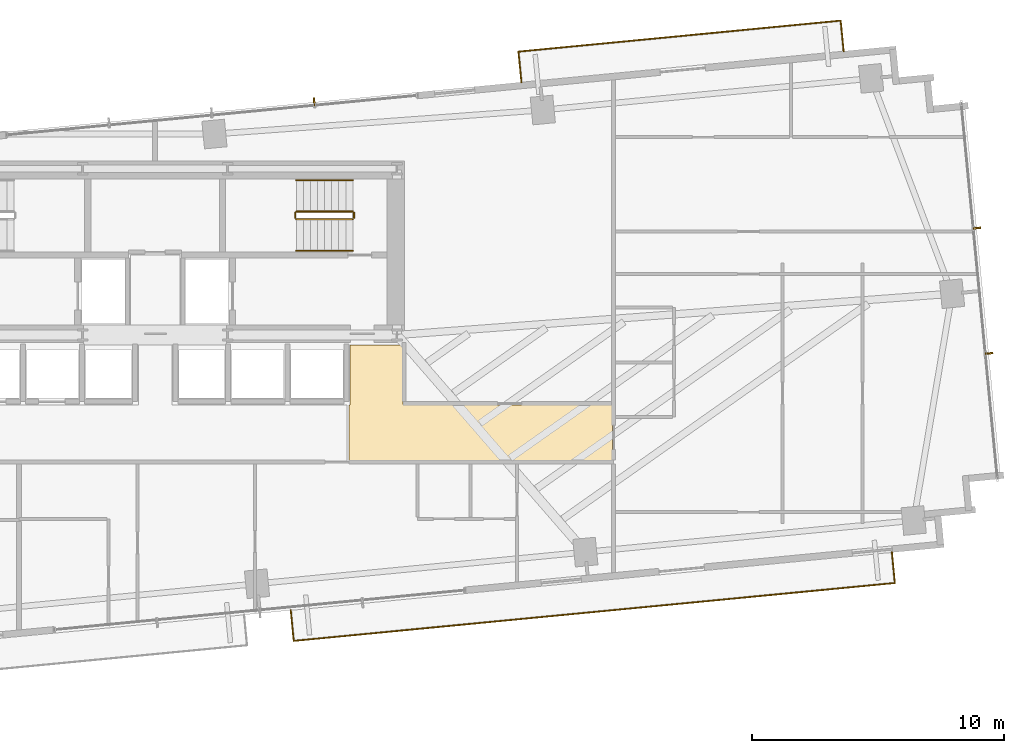
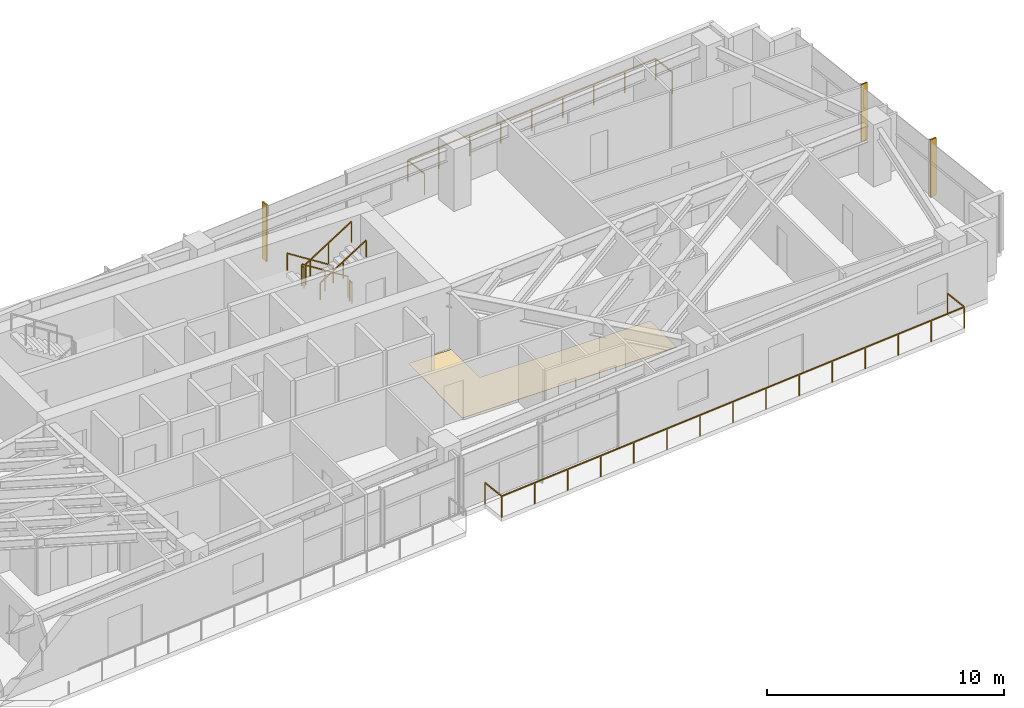
# One storey, part 25 of 25: 8 railings, 3 shading devices, 1 covering.
"""IFC4 building model written with IfcOpenShell, lengths in metres."""

from ifc_helpers import new_model, si_unit, direction, frame, origin, origin_2d, place, context, subcontext, project, spatial, polyline, rectangle, outline, extrude, source, transform, mapped, material, layer, layer_set, type_object, type_shapes, element, save


model = new_model("IFC4")

# Units and contexts
model_context = context("Model", 3, precision=1e-05, world=origin(), true_north=direction((0.0, 1.0)))
body_context = subcontext(model_context, "Body", "Model", "MODEL_VIEW")
ifc_project = project(units=[si_unit("LENGTHUNIT", "METRE"), si_unit("AREAUNIT", "SQUARE_METRE"), si_unit("VOLUMEUNIT", "CUBIC_METRE"), si_unit("PLANEANGLEUNIT", "RADIAN"), si_unit("MASSUNIT", "GRAM", prefix="KILO")], contexts=[model_context])

# Site, building, storey
site_placement = place(None, origin())
site = spatial("IfcSite", under=ifc_project, at=site_placement, CompositionType="ELEMENT")
building_placement = place(site_placement, origin())
building = spatial("IfcBuilding", under=site, at=building_placement, Name="Astriad Promenade Condominiums", CompositionType="ELEMENT")
storey_placement = place(building_placement, frame((0.0, 0.0, 81.0)))
storey = spatial("IfcBuildingStorey", under=building, at=storey_placement, Name="L22", CompositionType="ELEMENT", Elevation=81.0)

# Covering
ifc_material_1 = material(Name="Polished Lakefront Terrazzo Flooring")
ifc_layer = layer(ifc_material_1, 0.02001953125)
ifc_layer_set = layer_set([ifc_layer], Name="Polished Lakefront Terrazzo Flooring")
covering_type = type_object("IfcCoveringType", Name="COV-FLOR-TERRAZZO-20", PredefinedType="FLOORING", material=ifc_layer_set)
covering_placement = place(storey_placement, origin())
element("IfcCovering", 1, at=covering_placement, inside=storey, type_object=covering_type, Name="FLR-L22-COR-1", PredefinedType="FLOORING", context=body_context, shape_type="SweptSolid", body=[
    extrude(outline(polyline([(43.699951171875, 12.389892578125), (43.699951171875, 14.610107421875), (43.703857421875, 14.610107421875), (43.707763671875, 14.61083984375), (43.711669921875, 14.61181640625), (43.71533203125, 14.613037109375), (43.718994140625, 14.61474609375), (43.72216796875, 14.61669921875), (43.725341796875, 14.619140625), (43.728271484375, 14.62158203125), (43.73095703125, 14.62451171875), (43.7333984375, 14.627685546875), (43.7353515625, 14.631103515625), (43.737060546875, 14.634765625), (43.73828125, 14.638427734375), (43.7392578125, 14.64208984375), (43.73974609375, 14.64599609375), (43.739990234375, 14.64990234375), (43.739990234375, 17.010009765625), (45.840087890625, 17.010009765625), (45.840087890625, 14.659912109375), (45.840087890625, 14.656005859375), (45.8408203125, 14.652099609375), (45.841796875, 14.6484375), (45.843017578125, 14.644775390625), (45.8447265625, 14.64111328125), (45.8466796875, 14.6376953125), (45.84912109375, 14.634521484375), (45.851806640625, 14.631591796875), (45.8544921875, 14.629150390625), (45.85791015625, 14.626708984375), (45.861083984375, 14.624755859375), (45.86474609375, 14.623046875), (45.868408203125, 14.62158203125), (45.872314453125, 14.620849609375), (45.876220703125, 14.6201171875), (45.8798828125, 14.6201171875), (54.159912109375, 14.6201171875), (54.159912109375, 12.389892578125), (43.699951171875, 12.389892578125)])), origin(), (0.0, 0.0, 1.0), 0.02001953125),
])

# Shading devices
ifc_material_2 = material(Name="Anodised aluminium 6063-T6 Black Fin", Category="aluminium")
shading_device_type = type_object("IfcShadingDeviceType", Name="FIN-BLACK-320", PredefinedType="USERDEFINED", material=ifc_material_2)
shared_shape_1 = source(origin(), body_context, "Body", "SweptSolid", [
    extrude(rectangle(XDim=0.06494140625, YDim=0.320068359375, at=origin_2d()), origin(), (0.0, 0.0, 1.0), 2.93994140625),
])
type_shapes(shading_device_type, [shared_shape_1])
for number, where, z_axis, x_axis, name in (
    (2, (42.31689453125, 26.656494140625, 0.0), (0.0, 0.0, 1.0), (0.995396198367, 0.09584575252, 0.0), "CW-L22-N-FIN-03"),
    (3, (68.63330078125, 21.6455078125, 0.0), (0.0, 0.0, 1.0), (0.09584575252, -0.995396198367, 0.0), "CW-L22-E-FIN-01"),
    (4, (69.1123046875, 16.668701171875, 0.0), (0.0, 0.0, 1.0), (0.09584575252, -0.995396198367, 0.0), "CW-L22-E-FIN-02"),
):
    element("IfcShadingDevice", number, at=place(storey_placement, frame(where, z_axis=z_axis, x_axis=x_axis)), inside=storey, type_object=shading_device_type, Name=name, ObjectType="FIN", PredefinedType="USERDEFINED", context=body_context, shape_type="MappedRepresentation", body=[
        mapped(shared_shape_1, transform((0.0, 0.0, 0.0), scale=1.0)),
    ])

# Railings
ifc_material_3 = material(Name="Laminated Glass and Stainless Steel Balustrade", Category="steel")
railing_type_1 = type_object("IfcRailingType", Name="GRD-BALC-1120", PredefinedType="BALUSTRADE", material=ifc_material_3)
shared_shape_2 = source(origin(), body_context, "Body", "SweptSolid", [
    extrude(rectangle(XDim=0.048095703125, YDim=0.048095703125, at=origin_2d()), frame((0.0, 0.0, 1.09619140625), z_axis=(0.095857307208, -0.99539508571, 0.0), x_axis=(0.99539508571, 0.095857307208, 0.0)), (0.0, 0.0, 1.0), 1.219970703125),
    extrude(rectangle(XDim=0.048095703125, YDim=0.048095703125, at=origin_2d()), frame((0.116943359375, -1.21435546875, 1.09619140625), z_axis=(0.995396301327, 0.095844683232, 0.0), x_axis=(-0.095844683232, 0.995396301327, 0.0)), (0.0, 0.0, 1.0), 23.98486328125),
    extrude(rectangle(XDim=0.048095703125, YDim=0.048095703125, at=origin_2d()), frame((23.991455078125, 1.08447265625, 1.09619140625), z_axis=(-0.095659020692, 0.99541416092, 0.0), x_axis=(-0.99541416092, -0.095659020692, 0.0)), (0.0, 0.0, 1.0), 1.219970703125),
    extrude(rectangle(XDim=0.0419921875, YDim=0.0419921875, at=origin_2d()), origin(), (0.0, 0.0, 1.0), 1.072021484375),
    extrude(rectangle(XDim=0.0419921875, YDim=0.0419921875, at=origin_2d()), frame((0.116943359375, -1.21435546875, 0.0)), (0.0, 0.0, 1.0), 1.072021484375),
    extrude(rectangle(XDim=0.0419921875, YDim=0.0419921875, at=origin_2d()), frame((1.822265625, -1.050048828125, 0.0)), (0.0, 0.0, 1.0), 1.072021484375),
    extrude(rectangle(XDim=0.0419921875, YDim=0.0419921875, at=origin_2d()), frame((3.527587890625, -0.885986328125, 0.0)), (0.0, 0.0, 1.0), 1.072021484375),
    extrude(rectangle(XDim=0.0419921875, YDim=0.0419921875, at=origin_2d()), frame((5.23291015625, -0.7216796875, 0.0)), (0.0, 0.0, 1.0), 1.072021484375),
    extrude(rectangle(XDim=0.0419921875, YDim=0.0419921875, at=origin_2d()), frame((6.938232421875, -0.5576171875, 0.0)), (0.0, 0.0, 1.0), 1.072021484375),
    extrude(rectangle(XDim=0.0419921875, YDim=0.0419921875, at=origin_2d()), frame((8.6435546875, -0.393310546875, 0.0)), (0.0, 0.0, 1.0), 1.072021484375),
    extrude(rectangle(XDim=0.0419921875, YDim=0.0419921875, at=origin_2d()), frame((10.348876953125, -0.229248046875, 0.0)), (0.0, 0.0, 1.0), 1.072021484375),
    extrude(rectangle(XDim=0.0419921875, YDim=0.0419921875, at=origin_2d()), frame((12.05419921875, -0.06494140625, 0.0)), (0.0, 0.0, 1.0), 1.072021484375),
    extrude(rectangle(XDim=0.0419921875, YDim=0.0419921875, at=origin_2d()), frame((13.759521484375, 0.099365234375, 0.0)), (0.0, 0.0, 1.0), 1.072021484375),
    extrude(rectangle(XDim=0.0419921875, YDim=0.0419921875, at=origin_2d()), frame((15.46484375, 0.263427734375, 0.0)), (0.0, 0.0, 1.0), 1.072021484375),
    extrude(rectangle(XDim=0.0419921875, YDim=0.0419921875, at=origin_2d()), frame((17.170166015625, 0.427734375, 0.0)), (0.0, 0.0, 1.0), 1.072021484375),
    extrude(rectangle(XDim=0.0419921875, YDim=0.0419921875, at=origin_2d()), frame((18.87548828125, 0.591796875, 0.0)), (0.0, 0.0, 1.0), 1.072021484375),
    extrude(rectangle(XDim=0.0419921875, YDim=0.0419921875, at=origin_2d()), frame((20.580810546875, 0.756103515625, 0.0)), (0.0, 0.0, 1.0), 1.072021484375),
    extrude(rectangle(XDim=0.0419921875, YDim=0.0419921875, at=origin_2d()), frame((22.2861328125, 0.920166015625, 0.0)), (0.0, 0.0, 1.0), 1.072021484375),
    extrude(rectangle(XDim=0.0419921875, YDim=0.0419921875, at=origin_2d()), frame((23.991455078125, 1.08447265625, 0.0)), (0.0, 0.0, 1.0), 1.072021484375),
    extrude(rectangle(XDim=0.0419921875, YDim=0.0419921875, at=origin_2d()), frame((23.874755859375, 2.298828125, 0.0)), (0.0, 0.0, 1.0), 1.072021484375),
])
railing_1_placement = place(storey_placement, frame((41.384765625, 6.464111328125, 0.0)))
element("IfcRailing", 5, at=railing_1_placement, inside=storey, type_object=railing_type_1, Name="GRD-BALC-L22-SE", PredefinedType="BALUSTRADE", context=body_context, shape_type="MappedRepresentation", body=[
    mapped(shared_shape_2, transform((0.0, 0.0, 0.0), scale=1.0)),
])
shared_shape_3 = source(origin(), body_context, "Body", "SweptSolid", [
    extrude(rectangle(XDim=0.048095703125, YDim=0.048095703125, at=origin_2d()), frame((0.0, 0.0, 1.09619140625), z_axis=(-0.095659020692, 0.99541416092, 0.0), x_axis=(-0.99541416092, -0.095659020692, 0.0)), (0.0, 0.0, 1.0), 1.219970703125),
    extrude(rectangle(XDim=0.048095703125, YDim=0.048095703125, at=origin_2d()), frame((-0.11669921875, 1.21435546875, 1.09619140625), z_axis=(-0.995397053245, -0.09583687386, 0.0), x_axis=(0.09583687386, -0.995397053245, 0.0)), (0.0, 0.0, 1.0), 12.85693359375),
    extrude(rectangle(XDim=0.048095703125, YDim=0.048095703125, at=origin_2d()), frame((-12.91455078125, -0.017822265625, 1.09619140625), z_axis=(0.095857307208, -0.99539508571, 0.0), x_axis=(0.99539508571, 0.095857307208, 0.0)), (0.0, 0.0, 1.0), 1.219970703125),
    extrude(rectangle(XDim=0.0419921875, YDim=0.0419921875, at=origin_2d()), origin(), (0.0, 0.0, 1.0), 1.072021484375),
    extrude(rectangle(XDim=0.0419921875, YDim=0.0419921875, at=origin_2d()), frame((-0.11669921875, 1.21435546875, 0.0)), (0.0, 0.0, 1.0), 1.072021484375),
    extrude(rectangle(XDim=0.0419921875, YDim=0.0419921875, at=origin_2d()), frame((-1.71630859375, 1.060302734375, 0.0)), (0.0, 0.0, 1.0), 1.072021484375),
    extrude(rectangle(XDim=0.0419921875, YDim=0.0419921875, at=origin_2d()), frame((-3.316162109375, 0.90625, 0.0)), (0.0, 0.0, 1.0), 1.072021484375),
    extrude(rectangle(XDim=0.0419921875, YDim=0.0419921875, at=origin_2d()), frame((-4.916015625, 0.752197265625, 0.0)), (0.0, 0.0, 1.0), 1.072021484375),
    extrude(rectangle(XDim=0.0419921875, YDim=0.0419921875, at=origin_2d()), frame((-6.515625, 0.59814453125, 0.0)), (0.0, 0.0, 1.0), 1.072021484375),
    extrude(rectangle(XDim=0.0419921875, YDim=0.0419921875, at=origin_2d()), frame((-8.115234375, 0.4443359375, 0.0)), (0.0, 0.0, 1.0), 1.072021484375),
    extrude(rectangle(XDim=0.0419921875, YDim=0.0419921875, at=origin_2d()), frame((-9.715087890625, 0.290283203125, 0.0)), (0.0, 0.0, 1.0), 1.072021484375),
    extrude(rectangle(XDim=0.0419921875, YDim=0.0419921875, at=origin_2d()), frame((-11.31494140625, 0.13623046875, 0.0)), (0.0, 0.0, 1.0), 1.072021484375),
    extrude(rectangle(XDim=0.0419921875, YDim=0.0419921875, at=origin_2d()), frame((-12.91455078125, -0.017822265625, 0.0)), (0.0, 0.0, 1.0), 1.072021484375),
    extrude(rectangle(XDim=0.0419921875, YDim=0.0419921875, at=origin_2d()), frame((-12.797607421875, -1.232177734375, 0.0)), (0.0, 0.0, 1.0), 1.072021484375),
])
type_shapes(railing_type_1, [shared_shape_2, shared_shape_3])
railing_2_placement = place(storey_placement, frame((63.34228515625, 28.6708984375, 0.0)))
element("IfcRailing", 6, at=railing_2_placement, inside=storey, type_object=railing_type_1, Name="GRD-BALC-L22-NE", PredefinedType="BALUSTRADE", context=body_context, shape_type="MappedRepresentation", body=[
    mapped(shared_shape_3, transform((0.0, 0.0, 0.0), scale=1.0)),
])
ifc_material_4 = material(Name="Painted Galvanised Steel Guardrail", Category="steel")
railing_type_2 = type_object("IfcRailingType", Name="GRD-STAIR-1100", PredefinedType="GUARDRAIL", material=ifc_material_4)
shared_shape_4 = source(origin(), body_context, "Body", "SweptSolid", [
    extrude(rectangle(XDim=0.048095703125, YDim=0.048095703125, at=origin_2d()), frame((0.0, 0.0, 1.076171875), z_axis=(0.8442293374, 0.0, 0.53598211339), x_axis=(0.0, 1.0, 0.0)), (0.0, 0.0, 1.0), 2.6533203125),
    extrude(rectangle(XDim=0.0419921875, YDim=0.0419921875, at=origin_2d()), origin(), (0.0, 0.0, 1.0), 1.052001953125),
    extrude(rectangle(XDim=0.0419921875, YDim=0.0419921875, at=origin_2d()), frame((1.1201171875, 0.0, 0.7109375)), (0.0, 0.0, 1.0), 1.052001953125),
    extrude(rectangle(XDim=0.0419921875, YDim=0.0419921875, at=origin_2d()), frame((2.239990234375, 0.0, 1.422119140625)), (0.0, 0.0, 1.0), 1.052001953125),
])
railing_3_placement = place(storey_placement, frame((41.610107421875, 22.0, 1.77783203125)))
element("IfcRailing", 7, at=railing_3_placement, inside=storey, type_object=railing_type_2, Name="L22 ST-2 stair guard 3", PredefinedType="GUARDRAIL", context=body_context, shape_type="MappedRepresentation", body=[
    mapped(shared_shape_4, transform((0.0, 0.0, 0.0), scale=1.0)),
])
shared_shape_5 = source(origin(), body_context, "Body", "SweptSolid", [
    extrude(rectangle(XDim=0.048095703125, YDim=0.048095703125, at=origin_2d()), frame((0.0, 0.0, 1.076171875), z_axis=(-0.84418770128, 0.0, 0.536047689118), x_axis=(0.0, -1.0, 0.0)), (0.0, 0.0, 1.0), 2.6533203125),
    extrude(rectangle(XDim=0.0419921875, YDim=0.0419921875, at=origin_2d()), origin(), (0.0, 0.0, 1.0), 1.052001953125),
    extrude(rectangle(XDim=0.0419921875, YDim=0.0419921875, at=origin_2d()), frame((-1.1201171875, 0.0, 0.711181640625)), (0.0, 0.0, 1.0), 1.052001953125),
    extrude(rectangle(XDim=0.0419921875, YDim=0.0419921875, at=origin_2d()), frame((-2.239990234375, 0.0, 1.42236328125)), (0.0, 0.0, 1.0), 1.052001953125),
])
railing_4_placement = place(storey_placement, frame((43.85009765625, 22.300048828125, 0.177734375)))
element("IfcRailing", 8, at=railing_4_placement, inside=storey, type_object=railing_type_2, Name="L22 ST-2 stair guard 1", PredefinedType="GUARDRAIL", context=body_context, shape_type="MappedRepresentation", body=[
    mapped(shared_shape_5, transform((0.0, 0.0, 0.0), scale=1.0)),
])
ifc_material_5 = material(Name="Brushed Stainless Steel Handrail", Category="steel")
railing_type_3 = type_object("IfcRailingType", Name="HRL-STAIR-920", PredefinedType="HANDRAIL", material=ifc_material_5)
shared_shape_6 = source(origin(), body_context, "Body", "SweptSolid", [
    extrude(rectangle(XDim=0.048095703125, YDim=0.048095703125, at=origin_2d()), frame((0.0, 0.0, 0.8759765625), z_axis=(0.8442293374, 0.0, 0.53598211339), x_axis=(0.0, 1.0, 0.0)), (0.0, 0.0, 1.0), 2.6533203125),
    extrude(rectangle(XDim=0.0419921875, YDim=0.0419921875, at=origin_2d()), origin(), (0.0, 0.0, 1.0), 0.851806640625),
    extrude(rectangle(XDim=0.0419921875, YDim=0.0419921875, at=origin_2d()), frame((1.1201171875, 0.0, 0.7109375)), (0.0, 0.0, 1.0), 0.851806640625),
    extrude(rectangle(XDim=0.0419921875, YDim=0.0419921875, at=origin_2d()), frame((2.239990234375, 0.0, 1.422119140625)), (0.0, 0.0, 1.0), 0.851806640625),
])
railing_5_placement = place(storey_placement, frame((41.610107421875, 20.75, 1.77783203125)))
element("IfcRailing", 9, at=railing_5_placement, inside=storey, type_object=railing_type_3, Name="L22 ST-2 stair handrail 2", PredefinedType="HANDRAIL", context=body_context, shape_type="MappedRepresentation", body=[
    mapped(shared_shape_6, transform((0.0, 0.0, 0.0), scale=1.0)),
])
shared_shape_7 = source(origin(), body_context, "Body", "SweptSolid", [
    extrude(rectangle(XDim=0.048095703125, YDim=0.048095703125, at=origin_2d()), frame((0.0, 0.0, 0.8759765625), z_axis=(-0.84418770128, 0.0, 0.536047689118), x_axis=(0.0, -1.0, 0.0)), (0.0, 0.0, 1.0), 2.6533203125),
    extrude(rectangle(XDim=0.0419921875, YDim=0.0419921875, at=origin_2d()), origin(), (0.0, 0.0, 1.0), 0.851806640625),
    extrude(rectangle(XDim=0.0419921875, YDim=0.0419921875, at=origin_2d()), frame((-1.1201171875, 0.0, 0.711181640625)), (0.0, 0.0, 1.0), 0.851806640625),
    extrude(rectangle(XDim=0.0419921875, YDim=0.0419921875, at=origin_2d()), frame((-2.239990234375, 0.0, 1.42236328125)), (0.0, 0.0, 1.0), 0.851806640625),
])
type_shapes(railing_type_3, [shared_shape_6, shared_shape_7])
railing_6_placement = place(storey_placement, frame((43.85009765625, 23.550048828125, 0.177734375)))
element("IfcRailing", 10, at=railing_6_placement, inside=storey, type_object=railing_type_3, Name="L22 ST-2 stair handrail 1", PredefinedType="HANDRAIL", context=body_context, shape_type="MappedRepresentation", body=[
    mapped(shared_shape_7, transform((0.0, 0.0, 0.0), scale=1.0)),
])
shared_shape_8 = source(origin(), body_context, "Body", "SweptSolid", [
    extrude(rectangle(XDim=0.048095703125, YDim=0.048095703125, at=origin_2d()), frame((0.0, 0.0, 1.076171875), z_axis=(0.0, -1.0, 0.0), x_axis=(1.0, 0.0, 0.0)), (0.0, 0.0, 1.0), 0.199951171875),
    extrude(rectangle(XDim=0.0419921875, YDim=0.0419921875, at=origin_2d()), origin(), (0.0, 0.0, 1.0), 1.052001953125),
    extrude(rectangle(XDim=0.0419921875, YDim=0.0419921875, at=origin_2d()), frame((0.0, -0.199951171875, 0.0)), (0.0, 0.0, 1.0), 1.052001953125),
])
type_shapes(railing_type_2, [shared_shape_4, shared_shape_5, shared_shape_8])
for number, where, name in (
    (11, (41.56005859375, 22.25, 1.60009765625), "L22 ST-2 stair guard 2"),
    (12, (43.89990234375, 22.25, 0.0), "L22 ST-2 stair guard 4"),
):
    element("IfcRailing", number, at=place(storey_placement, frame(where)), inside=storey, type_object=railing_type_2, Name=name, PredefinedType="GUARDRAIL", context=body_context, shape_type="MappedRepresentation", body=[
        mapped(shared_shape_8, transform((0.0, 0.0, 0.0), scale=1.0)),
    ])

save(model, "model.ifc")
